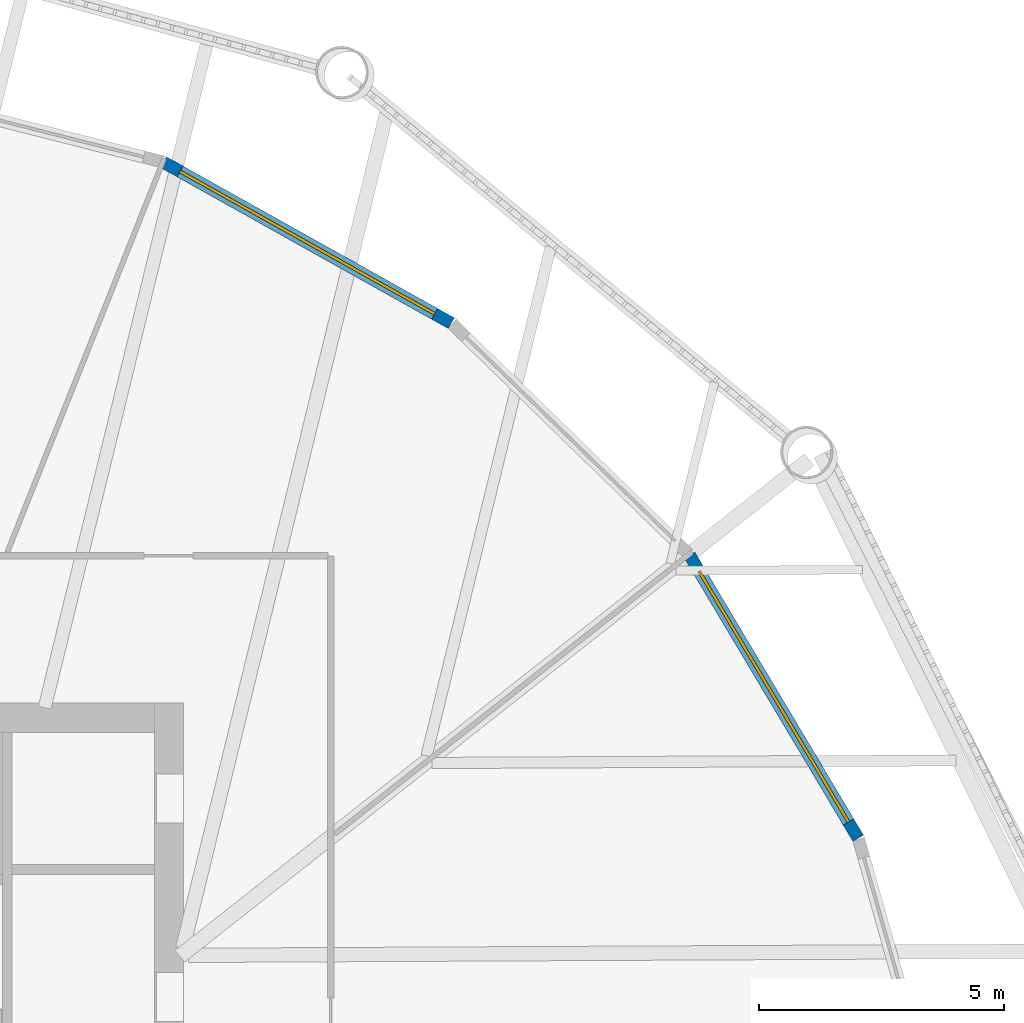
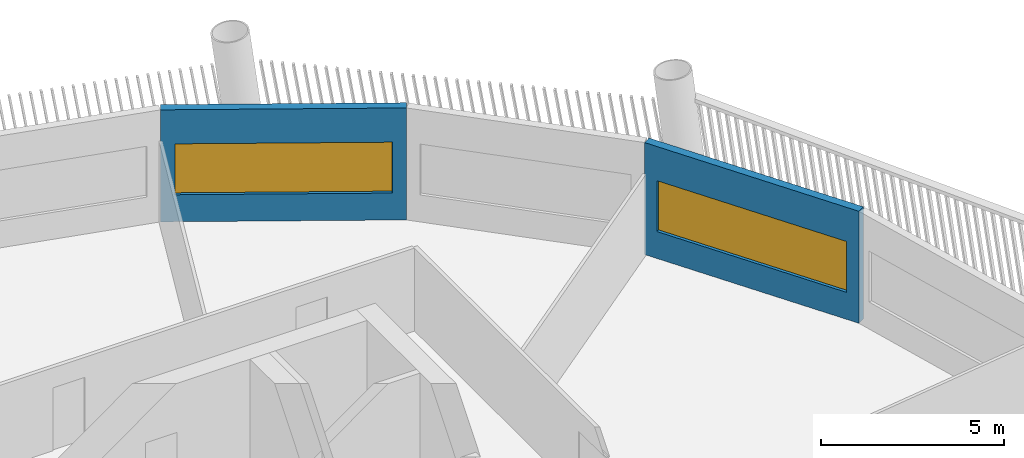
# One storey, part 7 of 15: 2 walls, 2 windows, 2 openings.
"""IFC4 building model written with IfcOpenShell, lengths in metres."""

from ifc_helpers import new_model, si_unit, direction, frame, frame_2d, origin, place, context, subcontext, project, spatial, rectangle, extrude, material, layer, layer_set, type_object, element, fill, save


model = new_model("IFC4")

# Units and contexts
model_context = context("Model", 3, precision=1e-05, world=origin(), true_north=direction((0.0, 1.0)))
body_context = subcontext(model_context, "Body", "Model", "MODEL_VIEW")
ifc_project = project(units=[si_unit("LENGTHUNIT", "METRE"), si_unit("AREAUNIT", "SQUARE_METRE"), si_unit("VOLUMEUNIT", "CUBIC_METRE"), si_unit("PLANEANGLEUNIT", "RADIAN"), si_unit("MASSUNIT", "GRAM", prefix="KILO")], contexts=[model_context])

# Site, building, storey
site_placement = place(None, origin())
site = spatial("IfcSite", under=ifc_project, at=site_placement, CompositionType="ELEMENT")
building_placement = place(site_placement, origin())
building = spatial("IfcBuilding", under=site, at=building_placement, Name="Tarsis Ring Headquarters", CompositionType="ELEMENT")
storey_placement = place(building_placement, frame((0.0, 0.0, 227.699951171875)))
storey = spatial("IfcBuildingStorey", under=building, at=storey_placement, Name="L53", CompositionType="ELEMENT", Elevation=227.699951171875)

# Wall, opening, window
ifc_material_1 = material(Name="Terracotta clad insulated panel wall", Category="masonry")
ifc_layer = layer(ifc_material_1, 0.25)
ifc_layer_set = layer_set([ifc_layer], Name="Facade wall terracotta panel 250")
wall_type = type_object("IfcWallType", Name="Facade wall terracotta panel 250", PredefinedType="STANDARD", material=ifc_layer_set)
wall_1_placement = place(storey_placement, frame((23.759033203125, 10.240234375, 0.0), z_axis=(0.0, 0.0, 1.0), x_axis=(-0.511747565236, 0.859135862058, 0.0)))
wall_1 = element("IfcWall", 1, at=wall_1_placement, inside=storey, type_object=wall_type, Name="External wall L53-23", PredefinedType="STANDARD", context=body_context, shape_type="SweptSolid", body=[
    extrude(rectangle(XDim=6.721435546875, YDim=0.25, at=frame_2d((3.36083984375, 0.0))), origin(), (0.0, 0.0, 1.0), 3.739990234375),
])
opening_1_placement = place(wall_1_placement, frame((0.3857421875, 0.0, 0.89990234375)))
opening_1 = element("IfcOpeningElement", 2, at=opening_1_placement, cuts=wall_1, Name="Opening WN07", PredefinedType="OPENING", context=body_context, shape_type="SweptSolid", body=[
    extrude(rectangle(XDim=5.949951171875, YDim=1.699951171875, at=frame_2d((2.97509765625, 0.85009765625))), frame((0.0, 0.135009765625, 0.0), z_axis=(0.0, -1.0, 0.0), x_axis=(1.0, 0.0, 0.0)), (0.0, 0.0, 1.0), 0.27001953125),
])
ifc_material_2 = material(Name="Aluminium framed double glazing", Category="aluminium")
window_type = type_object("IfcWindowType", Name="Facade window 5950 x 1700", PartitioningType="SINGLE_PANEL", PredefinedType="WINDOW", material=ifc_material_2)
window_1_placement = place(opening_1_placement, origin())
window_1 = element("IfcWindow", 3, at=window_1_placement, inside=storey, type_object=window_type, Name="Window L53-23.1", OverallHeight=1.699951171875, OverallWidth=5.949951171875, PartitioningType="SINGLE_PANEL", PredefinedType="WINDOW", context=body_context, shape_type="SweptSolid", body=[
    extrude(rectangle(XDim=5.949951171875, YDim=1.699951171875, at=frame_2d((2.97509765625, 0.85009765625))), frame((0.0, 0.030029296875, 0.0), z_axis=(0.0, -1.0, 0.0), x_axis=(1.0, 0.0, 0.0)), (0.0, 0.0, 1.0), 0.06005859375),
])
fill(opening_1, window_1)

wall_2_placement = place(storey_placement, frame((15.455810546875, 20.747802734375, 0.0), z_axis=(0.0, 0.0, 1.0), x_axis=(-0.872764179661, 0.488142076347, 0.0)))
wall_2 = element("IfcWall", 4, at=wall_2_placement, inside=storey, type_object=wall_type, Name="External wall L53-25", PredefinedType="STANDARD", context=body_context, shape_type="SweptSolid", body=[
    extrude(rectangle(XDim=6.721435546875, YDim=0.25, at=frame_2d((3.36083984375, 0.0))), origin(), (0.0, 0.0, 1.0), 3.739990234375),
])
opening_2_placement = place(wall_2_placement, frame((0.3857421875, 0.0, 0.89990234375)))
opening_2 = element("IfcOpeningElement", 5, at=opening_2_placement, cuts=wall_2, Name="Opening WN07", PredefinedType="OPENING", context=body_context, shape_type="SweptSolid", body=[
    extrude(rectangle(XDim=5.949951171875, YDim=1.699951171875, at=frame_2d((2.97509765625, 0.85009765625))), frame((0.0, 0.135009765625, 0.0), z_axis=(0.0, -1.0, 0.0), x_axis=(1.0, 0.0, 0.0)), (0.0, 0.0, 1.0), 0.27001953125),
])
window_2_placement = place(opening_2_placement, origin())
window_2 = element("IfcWindow", 6, at=window_2_placement, inside=storey, type_object=window_type, Name="Window L53-25.1", OverallHeight=1.699951171875, OverallWidth=5.949951171875, PartitioningType="SINGLE_PANEL", PredefinedType="WINDOW", context=body_context, shape_type="SweptSolid", body=[
    extrude(rectangle(XDim=5.949951171875, YDim=1.699951171875, at=frame_2d((2.97509765625, 0.85009765625))), frame((0.0, 0.030029296875, 0.0), z_axis=(0.0, -1.0, 0.0), x_axis=(1.0, 0.0, 0.0)), (0.0, 0.0, 1.0), 0.06005859375),
])
fill(opening_2, window_2)

save(model, "model.ifc")
